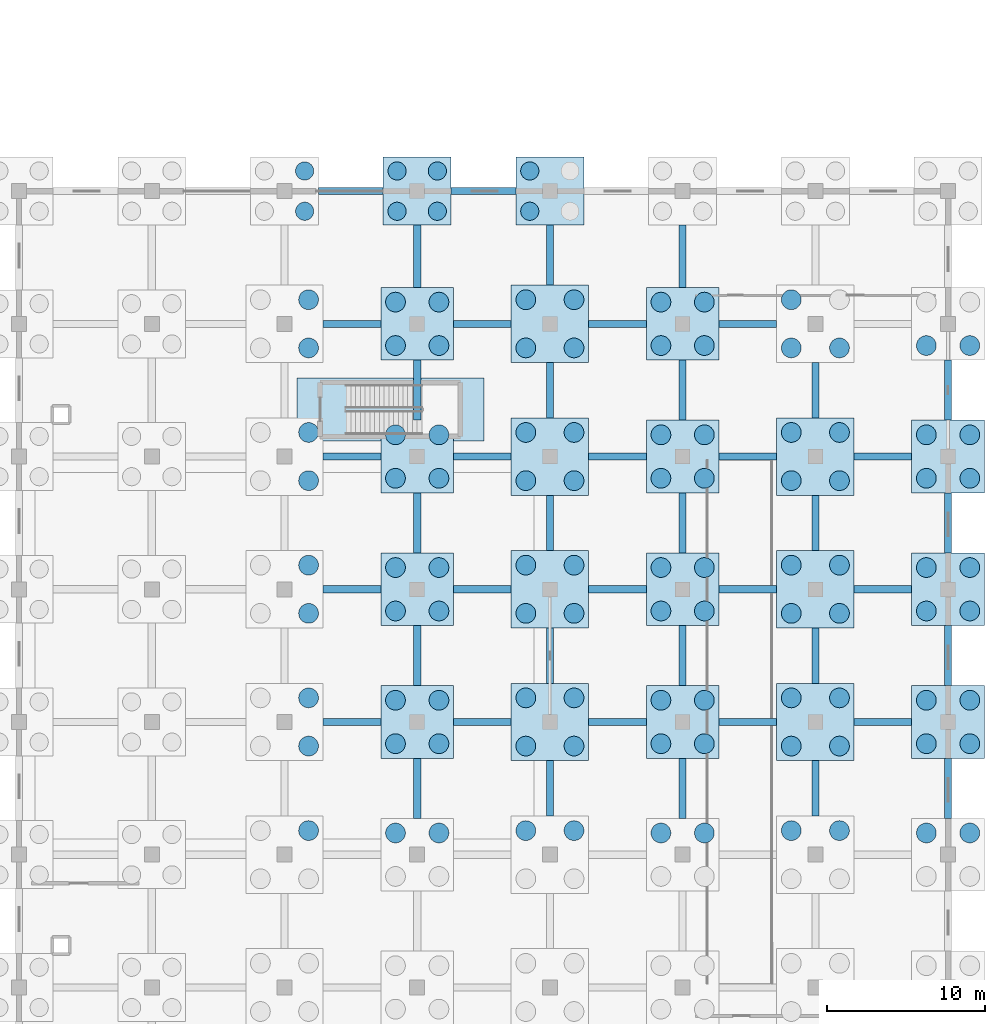
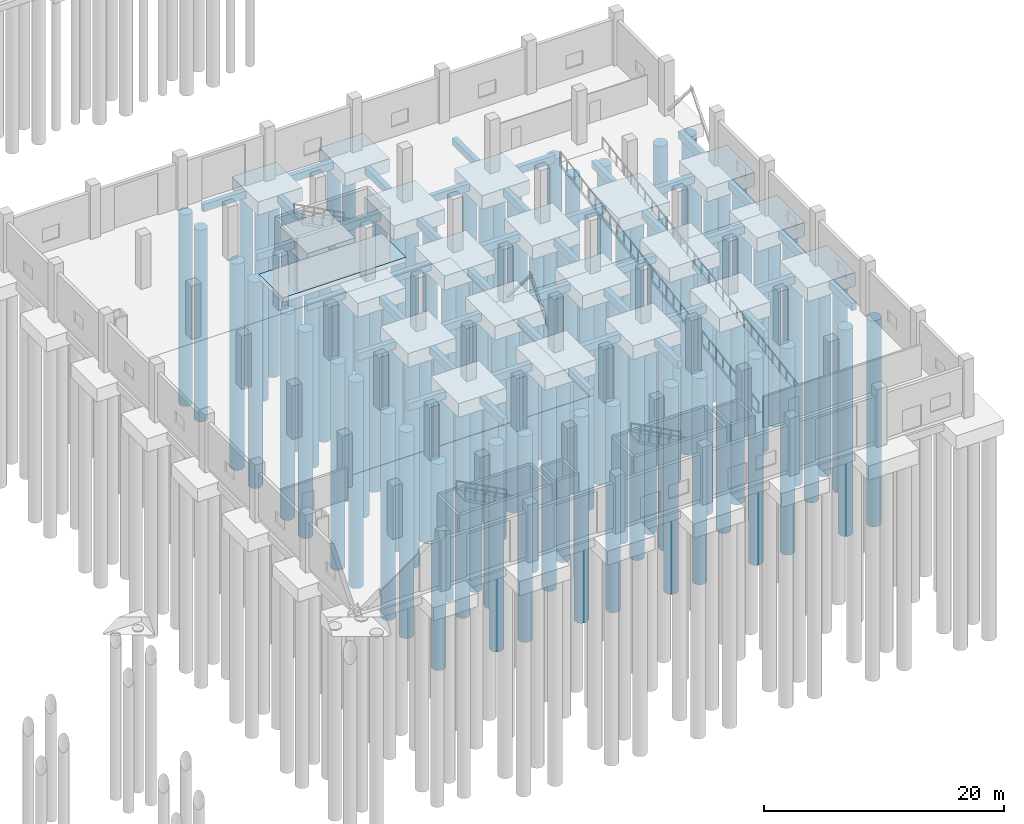
# One storey, part 9 of 83: 104 piles, 65 footings.
"""IFC4 building model written with IfcOpenShell, lengths in metres."""

from ifc_helpers import new_model, si_unit, direction, frame, origin, origin_2d, place, context, subcontext, project, spatial, rectangle, circle, extrude, material, material_profile, profile_set, type_object, element, save


model = new_model("IFC4")

# Units and contexts
model_context = context("Model", 3, precision=1e-05, world=origin(), true_north=direction((0.0, 1.0)))
body_context = subcontext(model_context, "Body", "Model", "MODEL_VIEW")
ifc_project = project(units=[si_unit("LENGTHUNIT", "METRE"), si_unit("AREAUNIT", "SQUARE_METRE"), si_unit("VOLUMEUNIT", "CUBIC_METRE"), si_unit("PLANEANGLEUNIT", "RADIAN"), si_unit("MASSUNIT", "GRAM", prefix="KILO"), si_unit("THERMODYNAMICTEMPERATUREUNIT", "KELVIN"), si_unit("POWERUNIT", "WATT")], contexts=[model_context])

# Site, building, storey
site_placement = place(None, origin())
site = spatial("IfcSite", under=ifc_project, at=site_placement, CompositionType="ELEMENT")
building_placement = place(site_placement, origin())
building = spatial("IfcBuilding", under=site, at=building_placement, Name="Mavoryth Pier Ferry Terminal", CompositionType="ELEMENT")
storey_placement = place(building_placement, origin())
storey = spatial("IfcBuildingStorey", under=building, at=storey_placement, Name="L00", CompositionType="ELEMENT", Elevation=0.0)

# Footings
ifc_material = material(Name="Concrete C35/45", Category="concrete")
footing_type_1 = type_object("IfcFootingType", Name="Cap-4P-4300x4300x1350", PredefinedType="PILE_CAP", material=ifc_material)
for number, where, z_axis, x_axis, name in (
    (1, (134.39990234375, 72.39990234375, -1.81005859375), (0.0, 0.0, 1.0), (1.0, 0.0, 0.0), "Foundation FD-V4-4-8"),
    (2, (142.800048828125, 72.39990234375, -1.81005859375), (0.0, 0.0, 1.0), (1.0, 0.0, 0.0), "Foundation FD-V4-5-8"),
):
    element("IfcFooting", number, at=place(storey_placement, frame(where, z_axis=z_axis, x_axis=x_axis)), inside=storey, type_object=footing_type_1, Name=name, PredefinedType="PILE_CAP", context=body_context, shape_type="SweptSolid", body=[
        extrude(rectangle(XDim=4.300048828125, YDim=4.300048828125, at=origin_2d()), origin(), (0.0, 0.0, 1.0), 1.35009765625),
    ])
footing_type_2 = type_object("IfcFootingType", Name="Cap-4P-4600x4600x1400", PredefinedType="PILE_CAP", material=ifc_material)
for number, where, z_axis, x_axis, name in (
    (3, (134.39990234375, 38.800048828125, -1.85986328125), (0.0, 0.0, 1.0), (1.0, 0.0, 0.0), "Foundation FD-V4-4-4"),
    (4, (134.39990234375, 47.199951171875, -1.85986328125), (0.0, 0.0, 1.0), (1.0, 0.0, 0.0), "Foundation FD-V4-4-5"),
    (5, (134.39990234375, 55.60009765625, -1.85986328125), (0.0, 0.0, 1.0), (1.0, 0.0, 0.0), "Foundation FD-V4-4-6"),
    (6, (134.39990234375, 64.0, -1.85986328125), (0.0, 0.0, 1.0), (1.0, 0.0, 0.0), "Foundation FD-V4-4-7"),
    (7, (151.199951171875, 38.800048828125, -1.85986328125), (0.0, 0.0, 1.0), (1.0, 0.0, 0.0), "Foundation FD-V4-6-4"),
    (8, (151.199951171875, 47.199951171875, -1.85986328125), (0.0, 0.0, 1.0), (1.0, 0.0, 0.0), "Foundation FD-V4-6-5"),
    (9, (151.199951171875, 55.60009765625, -1.85986328125), (0.0, 0.0, 1.0), (1.0, 0.0, 0.0), "Foundation FD-V4-6-6"),
    (10, (151.199951171875, 64.0, -1.85986328125), (0.0, 0.0, 1.0), (1.0, 0.0, 0.0), "Foundation FD-V4-6-7"),
    (11, (168.0, 38.800048828125, -1.85986328125), (0.0, 0.0, 1.0), (1.0, 0.0, 0.0), "Foundation FD-V4-8-4"),
    (12, (168.0, 47.199951171875, -1.85986328125), (0.0, 0.0, 1.0), (1.0, 0.0, 0.0), "Foundation FD-V4-8-5"),
    (13, (168.0, 55.60009765625, -1.85986328125), (0.0, 0.0, 1.0), (1.0, 0.0, 0.0), "Foundation FD-V4-8-6"),
):
    element("IfcFooting", number, at=place(storey_placement, frame(where, z_axis=z_axis, x_axis=x_axis)), inside=storey, type_object=footing_type_2, Name=name, PredefinedType="PILE_CAP", context=body_context, shape_type="SweptSolid", body=[
        extrude(rectangle(XDim=4.60009765625, YDim=4.60009765625, at=origin_2d()), origin(), (0.0, 0.0, 1.0), 1.39990234375),
    ])
footing_type_3 = type_object("IfcFootingType", Name="Cap-4P-4900x4900x1450", PredefinedType="PILE_CAP", material=ifc_material)
for number, where, z_axis, x_axis, name in (
    (14, (142.800048828125, 38.800048828125, -1.91015625), (0.0, 0.0, 1.0), (1.0, 0.0, 0.0), "Foundation FD-V4-5-4"),
    (15, (142.800048828125, 47.199951171875, -1.91015625), (0.0, 0.0, 1.0), (1.0, 0.0, 0.0), "Foundation FD-V4-5-5"),
    (16, (142.800048828125, 55.60009765625, -1.91015625), (0.0, 0.0, 1.0), (1.0, 0.0, 0.0), "Foundation FD-V4-5-6"),
    (17, (142.800048828125, 64.0, -1.91015625), (0.0, 0.0, 1.0), (1.0, 0.0, 0.0), "Foundation FD-V4-5-7"),
    (18, (159.60009765625, 38.800048828125, -1.91015625), (0.0, 0.0, 1.0), (1.0, 0.0, 0.0), "Foundation FD-V4-7-4"),
    (19, (159.60009765625, 47.199951171875, -1.91015625), (0.0, 0.0, 1.0), (1.0, 0.0, 0.0), "Foundation FD-V4-7-5"),
    (20, (159.60009765625, 55.60009765625, -1.91015625), (0.0, 0.0, 1.0), (1.0, 0.0, 0.0), "Foundation FD-V4-7-6"),
):
    element("IfcFooting", number, at=place(storey_placement, frame(where, z_axis=z_axis, x_axis=x_axis)), inside=storey, type_object=footing_type_3, Name=name, PredefinedType="PILE_CAP", context=body_context, shape_type="SweptSolid", body=[
        extrude(rectangle(XDim=4.89990234375, YDim=4.89990234375, at=origin_2d()), origin(), (0.0, 0.0, 1.0), 1.449951171875),
    ])
footing_type_4 = type_object("IfcFootingType", Name="Pad-CoreMat-11840x4000x460", PredefinedType="PAD_FOOTING", material=ifc_material)
footing_1_placement = place(storey_placement, frame((132.699951171875, 58.574951171875, -0.4599609375), z_axis=(0.0, 0.0, 1.0), x_axis=(1.0, 0.0, 0.0)))
element("IfcFooting", 21, at=footing_1_placement, inside=storey, type_object=footing_type_4, Name="Core Foundation Mat C4C", PredefinedType="PAD_FOOTING", context=body_context, shape_type="SweptSolid", body=[
    extrude(rectangle(XDim=11.840087890625, YDim=4.0, at=origin_2d()), origin(), (0.0, 0.0, 1.0), 0.4599609375),
])

# Piles
ifc_material_profile_1 = material_profile(ifc_material, circle(Radius=0.574951171875, at=origin_2d()), Name="PILE D1150", Category="concrete")
ifc_profile_set_1 = profile_set([ifc_material_profile_1], Name="Concrete C35/45 - PILE D1150")
pile_type_1 = type_object("IfcPileType", Name="Pile-Bored-D1150", PredefinedType="BORED", material=ifc_profile_set_1)
for number, where, z_axis, x_axis, name in (
    (22, (127.27490234375, 71.125, -1.7099609375), (0.0, 0.0, -1.0), (1.0, 0.0, 0.0), "Bored Pile FD-V4-3-8-P2"),
    (23, (127.27490234375, 73.675048828125, -1.7099609375), (0.0, 0.0, -1.0), (1.0, 0.0, 0.0), "Bored Pile FD-V4-3-8-P4"),
    (24, (133.125, 71.125, -1.7099609375), (0.0, 0.0, -1.0), (1.0, 0.0, 0.0), "Bored Pile FD-V4-4-8-P1"),
    (25, (135.675048828125, 71.125, -1.7099609375), (0.0, 0.0, -1.0), (1.0, 0.0, 0.0), "Bored Pile FD-V4-4-8-P2"),
    (26, (133.125, 73.675048828125, -1.7099609375), (0.0, 0.0, -1.0), (1.0, 0.0, 0.0), "Bored Pile FD-V4-4-8-P3"),
    (27, (135.675048828125, 73.675048828125, -1.7099609375), (0.0, 0.0, -1.0), (1.0, 0.0, 0.0), "Bored Pile FD-V4-4-8-P4"),
    (28, (141.52490234375, 71.125, -1.7099609375), (0.0, 0.0, -1.0), (1.0, 0.0, 0.0), "Bored Pile FD-V4-5-8-P1"),
    (29, (141.52490234375, 73.675048828125, -1.7099609375), (0.0, 0.0, -1.0), (1.0, 0.0, 0.0), "Bored Pile FD-V4-5-8-P3"),
):
    element("IfcPile", number, at=place(storey_placement, frame(where, z_axis=z_axis, x_axis=x_axis)), inside=storey, type_object=pile_type_1, Name=name, PredefinedType="BORED", context=body_context, shape_type="SweptSolid", body=[
        extrude(circle(Radius=0.574951171875, at=origin_2d()), origin(), (0.0, 0.0, 1.0), 19.5),
    ])
ifc_material_profile_2 = material_profile(ifc_material, circle(Radius=0.625, at=origin_2d()), Name="PILE D1250", Category="concrete")
ifc_profile_set_2 = profile_set([ifc_material_profile_2], Name="Concrete C35/45 - PILE D1250")
pile_type_2 = type_object("IfcPileType", Name="Pile-Bored-D1250", PredefinedType="BORED", material=ifc_profile_set_2)
for number, where, z_axis, x_axis, name in (
    (30, (127.52490234375, 31.925048828125, -1.81005859375), (0.0, 0.0, -1.0), (1.0, 0.0, 0.0), "Bored Pile FD-V4-3-3-P4"),
    (31, (127.52490234375, 37.27490234375, -1.81005859375), (0.0, 0.0, -1.0), (1.0, 0.0, 0.0), "Bored Pile FD-V4-3-4-P2"),
    (32, (127.52490234375, 40.324951171875, -1.81005859375), (0.0, 0.0, -1.0), (1.0, 0.0, 0.0), "Bored Pile FD-V4-3-4-P4"),
    (33, (127.52490234375, 45.675048828125, -1.81005859375), (0.0, 0.0, -1.0), (1.0, 0.0, 0.0), "Bored Pile FD-V4-3-5-P2"),
    (34, (127.52490234375, 48.72509765625, -1.81005859375), (0.0, 0.0, -1.0), (1.0, 0.0, 0.0), "Bored Pile FD-V4-3-5-P4"),
    (35, (127.52490234375, 54.074951171875, -1.81005859375), (0.0, 0.0, -1.0), (1.0, 0.0, 0.0), "Bored Pile FD-V4-3-6-P2"),
    (36, (127.52490234375, 57.125, -1.81005859375), (0.0, 0.0, -1.0), (1.0, 0.0, 0.0), "Bored Pile FD-V4-3-6-P4"),
    (37, (127.52490234375, 62.47509765625, -1.81005859375), (0.0, 0.0, -1.0), (1.0, 0.0, 0.0), "Bored Pile FD-V4-3-7-P2"),
    (38, (127.52490234375, 65.52490234375, -1.81005859375), (0.0, 0.0, -1.0), (1.0, 0.0, 0.0), "Bored Pile FD-V4-3-7-P4"),
    (39, (133.02490234375, 31.77490234375, -1.760009765625), (0.0, 0.0, -1.0), (1.0, 0.0, 0.0), "Bored Pile FD-V4-4-3-P3"),
    (40, (135.77490234375, 31.77490234375, -1.760009765625), (0.0, 0.0, -1.0), (1.0, 0.0, 0.0), "Bored Pile FD-V4-4-3-P4"),
    (41, (133.02490234375, 37.425048828125, -1.760009765625), (0.0, 0.0, -1.0), (1.0, 0.0, 0.0), "Bored Pile FD-V4-4-4-P1"),
    (42, (135.77490234375, 37.425048828125, -1.760009765625), (0.0, 0.0, -1.0), (1.0, 0.0, 0.0), "Bored Pile FD-V4-4-4-P2"),
    (43, (133.02490234375, 40.175048828125, -1.760009765625), (0.0, 0.0, -1.0), (1.0, 0.0, 0.0), "Bored Pile FD-V4-4-4-P3"),
    (44, (135.77490234375, 40.175048828125, -1.760009765625), (0.0, 0.0, -1.0), (1.0, 0.0, 0.0), "Bored Pile FD-V4-4-4-P4"),
    (45, (133.02490234375, 45.824951171875, -1.760009765625), (0.0, 0.0, -1.0), (1.0, 0.0, 0.0), "Bored Pile FD-V4-4-5-P1"),
    (46, (135.77490234375, 45.824951171875, -1.760009765625), (0.0, 0.0, -1.0), (1.0, 0.0, 0.0), "Bored Pile FD-V4-4-5-P2"),
    (47, (133.02490234375, 48.574951171875, -1.760009765625), (0.0, 0.0, -1.0), (1.0, 0.0, 0.0), "Bored Pile FD-V4-4-5-P3"),
    (48, (135.77490234375, 48.574951171875, -1.760009765625), (0.0, 0.0, -1.0), (1.0, 0.0, 0.0), "Bored Pile FD-V4-4-5-P4"),
    (49, (133.02490234375, 54.22509765625, -1.760009765625), (0.0, 0.0, -1.0), (1.0, 0.0, 0.0), "Bored Pile FD-V4-4-6-P1"),
    (50, (135.77490234375, 54.22509765625, -1.760009765625), (0.0, 0.0, -1.0), (1.0, 0.0, 0.0), "Bored Pile FD-V4-4-6-P2"),
    (51, (133.02490234375, 56.97509765625, -1.760009765625), (0.0, 0.0, -1.0), (1.0, 0.0, 0.0), "Bored Pile FD-V4-4-6-P3"),
    (52, (135.77490234375, 56.97509765625, -1.760009765625), (0.0, 0.0, -1.0), (1.0, 0.0, 0.0), "Bored Pile FD-V4-4-6-P4"),
    (53, (133.02490234375, 62.625, -1.760009765625), (0.0, 0.0, -1.0), (1.0, 0.0, 0.0), "Bored Pile FD-V4-4-7-P1"),
    (54, (135.77490234375, 62.625, -1.760009765625), (0.0, 0.0, -1.0), (1.0, 0.0, 0.0), "Bored Pile FD-V4-4-7-P2"),
    (55, (133.02490234375, 65.375, -1.760009765625), (0.0, 0.0, -1.0), (1.0, 0.0, 0.0), "Bored Pile FD-V4-4-7-P3"),
    (56, (135.77490234375, 65.375, -1.760009765625), (0.0, 0.0, -1.0), (1.0, 0.0, 0.0), "Bored Pile FD-V4-4-7-P4"),
    (57, (141.27490234375, 31.925048828125, -1.81005859375), (0.0, 0.0, -1.0), (1.0, 0.0, 0.0), "Bored Pile FD-V4-5-3-P3"),
    (58, (144.324951171875, 31.925048828125, -1.81005859375), (0.0, 0.0, -1.0), (1.0, 0.0, 0.0), "Bored Pile FD-V4-5-3-P4"),
    (59, (141.27490234375, 37.27490234375, -1.81005859375), (0.0, 0.0, -1.0), (1.0, 0.0, 0.0), "Bored Pile FD-V4-5-4-P1"),
    (60, (144.324951171875, 37.27490234375, -1.81005859375), (0.0, 0.0, -1.0), (1.0, 0.0, 0.0), "Bored Pile FD-V4-5-4-P2"),
    (61, (141.27490234375, 40.324951171875, -1.81005859375), (0.0, 0.0, -1.0), (1.0, 0.0, 0.0), "Bored Pile FD-V4-5-4-P3"),
    (62, (144.324951171875, 40.324951171875, -1.81005859375), (0.0, 0.0, -1.0), (1.0, 0.0, 0.0), "Bored Pile FD-V4-5-4-P4"),
    (63, (141.27490234375, 45.675048828125, -1.81005859375), (0.0, 0.0, -1.0), (1.0, 0.0, 0.0), "Bored Pile FD-V4-5-5-P1"),
    (64, (144.324951171875, 45.675048828125, -1.81005859375), (0.0, 0.0, -1.0), (1.0, 0.0, 0.0), "Bored Pile FD-V4-5-5-P2"),
    (65, (141.27490234375, 48.72509765625, -1.81005859375), (0.0, 0.0, -1.0), (1.0, 0.0, 0.0), "Bored Pile FD-V4-5-5-P3"),
    (66, (144.324951171875, 48.72509765625, -1.81005859375), (0.0, 0.0, -1.0), (1.0, 0.0, 0.0), "Bored Pile FD-V4-5-5-P4"),
    (67, (141.27490234375, 54.074951171875, -1.81005859375), (0.0, 0.0, -1.0), (1.0, 0.0, 0.0), "Bored Pile FD-V4-5-6-P1"),
    (68, (144.324951171875, 54.074951171875, -1.81005859375), (0.0, 0.0, -1.0), (1.0, 0.0, 0.0), "Bored Pile FD-V4-5-6-P2"),
    (69, (141.27490234375, 57.125, -1.81005859375), (0.0, 0.0, -1.0), (1.0, 0.0, 0.0), "Bored Pile FD-V4-5-6-P3"),
    (70, (144.324951171875, 57.125, -1.81005859375), (0.0, 0.0, -1.0), (1.0, 0.0, 0.0), "Bored Pile FD-V4-5-6-P4"),
    (71, (141.27490234375, 62.47509765625, -1.81005859375), (0.0, 0.0, -1.0), (1.0, 0.0, 0.0), "Bored Pile FD-V4-5-7-P1"),
    (72, (144.324951171875, 62.47509765625, -1.81005859375), (0.0, 0.0, -1.0), (1.0, 0.0, 0.0), "Bored Pile FD-V4-5-7-P2"),
    (73, (141.27490234375, 65.52490234375, -1.81005859375), (0.0, 0.0, -1.0), (1.0, 0.0, 0.0), "Bored Pile FD-V4-5-7-P3"),
    (74, (144.324951171875, 65.52490234375, -1.81005859375), (0.0, 0.0, -1.0), (1.0, 0.0, 0.0), "Bored Pile FD-V4-5-7-P4"),
    (75, (149.824951171875, 31.77490234375, -1.760009765625), (0.0, 0.0, -1.0), (1.0, 0.0, 0.0), "Bored Pile FD-V4-6-3-P3"),
    (76, (152.574951171875, 31.77490234375, -1.760009765625), (0.0, 0.0, -1.0), (1.0, 0.0, 0.0), "Bored Pile FD-V4-6-3-P4"),
    (77, (149.824951171875, 37.425048828125, -1.760009765625), (0.0, 0.0, -1.0), (1.0, 0.0, 0.0), "Bored Pile FD-V4-6-4-P1"),
    (78, (152.574951171875, 37.425048828125, -1.760009765625), (0.0, 0.0, -1.0), (1.0, 0.0, 0.0), "Bored Pile FD-V4-6-4-P2"),
    (79, (149.824951171875, 40.175048828125, -1.760009765625), (0.0, 0.0, -1.0), (1.0, 0.0, 0.0), "Bored Pile FD-V4-6-4-P3"),
    (80, (152.574951171875, 40.175048828125, -1.760009765625), (0.0, 0.0, -1.0), (1.0, 0.0, 0.0), "Bored Pile FD-V4-6-4-P4"),
    (81, (149.824951171875, 45.824951171875, -1.760009765625), (0.0, 0.0, -1.0), (1.0, 0.0, 0.0), "Bored Pile FD-V4-6-5-P1"),
    (82, (152.574951171875, 45.824951171875, -1.760009765625), (0.0, 0.0, -1.0), (1.0, 0.0, 0.0), "Bored Pile FD-V4-6-5-P2"),
    (83, (149.824951171875, 48.574951171875, -1.760009765625), (0.0, 0.0, -1.0), (1.0, 0.0, 0.0), "Bored Pile FD-V4-6-5-P3"),
    (84, (152.574951171875, 48.574951171875, -1.760009765625), (0.0, 0.0, -1.0), (1.0, 0.0, 0.0), "Bored Pile FD-V4-6-5-P4"),
    (85, (149.824951171875, 54.22509765625, -1.760009765625), (0.0, 0.0, -1.0), (1.0, 0.0, 0.0), "Bored Pile FD-V4-6-6-P1"),
    (86, (152.574951171875, 54.22509765625, -1.760009765625), (0.0, 0.0, -1.0), (1.0, 0.0, 0.0), "Bored Pile FD-V4-6-6-P2"),
    (87, (149.824951171875, 56.97509765625, -1.760009765625), (0.0, 0.0, -1.0), (1.0, 0.0, 0.0), "Bored Pile FD-V4-6-6-P3"),
    (88, (152.574951171875, 56.97509765625, -1.760009765625), (0.0, 0.0, -1.0), (1.0, 0.0, 0.0), "Bored Pile FD-V4-6-6-P4"),
    (89, (149.824951171875, 62.625, -1.760009765625), (0.0, 0.0, -1.0), (1.0, 0.0, 0.0), "Bored Pile FD-V4-6-7-P1"),
    (90, (152.574951171875, 62.625, -1.760009765625), (0.0, 0.0, -1.0), (1.0, 0.0, 0.0), "Bored Pile FD-V4-6-7-P2"),
    (91, (149.824951171875, 65.375, -1.760009765625), (0.0, 0.0, -1.0), (1.0, 0.0, 0.0), "Bored Pile FD-V4-6-7-P3"),
    (92, (152.574951171875, 65.375, -1.760009765625), (0.0, 0.0, -1.0), (1.0, 0.0, 0.0), "Bored Pile FD-V4-6-7-P4"),
    (93, (158.074951171875, 31.925048828125, -1.81005859375), (0.0, 0.0, -1.0), (1.0, 0.0, 0.0), "Bored Pile FD-V4-7-3-P3"),
    (94, (161.125, 31.925048828125, -1.81005859375), (0.0, 0.0, -1.0), (1.0, 0.0, 0.0), "Bored Pile FD-V4-7-3-P4"),
    (95, (158.074951171875, 37.27490234375, -1.81005859375), (0.0, 0.0, -1.0), (1.0, 0.0, 0.0), "Bored Pile FD-V4-7-4-P1"),
    (96, (161.125, 37.27490234375, -1.81005859375), (0.0, 0.0, -1.0), (1.0, 0.0, 0.0), "Bored Pile FD-V4-7-4-P2"),
    (97, (158.074951171875, 40.324951171875, -1.81005859375), (0.0, 0.0, -1.0), (1.0, 0.0, 0.0), "Bored Pile FD-V4-7-4-P3"),
    (98, (161.125, 40.324951171875, -1.81005859375), (0.0, 0.0, -1.0), (1.0, 0.0, 0.0), "Bored Pile FD-V4-7-4-P4"),
    (99, (158.074951171875, 45.675048828125, -1.81005859375), (0.0, 0.0, -1.0), (1.0, 0.0, 0.0), "Bored Pile FD-V4-7-5-P1"),
    (100, (161.125, 45.675048828125, -1.81005859375), (0.0, 0.0, -1.0), (1.0, 0.0, 0.0), "Bored Pile FD-V4-7-5-P2"),
    (101, (158.074951171875, 48.72509765625, -1.81005859375), (0.0, 0.0, -1.0), (1.0, 0.0, 0.0), "Bored Pile FD-V4-7-5-P3"),
    (102, (161.125, 48.72509765625, -1.81005859375), (0.0, 0.0, -1.0), (1.0, 0.0, 0.0), "Bored Pile FD-V4-7-5-P4"),
    (103, (158.074951171875, 54.074951171875, -1.81005859375), (0.0, 0.0, -1.0), (1.0, 0.0, 0.0), "Bored Pile FD-V4-7-6-P1"),
    (104, (161.125, 54.074951171875, -1.81005859375), (0.0, 0.0, -1.0), (1.0, 0.0, 0.0), "Bored Pile FD-V4-7-6-P2"),
    (105, (158.074951171875, 57.125, -1.81005859375), (0.0, 0.0, -1.0), (1.0, 0.0, 0.0), "Bored Pile FD-V4-7-6-P3"),
    (106, (161.125, 57.125, -1.81005859375), (0.0, 0.0, -1.0), (1.0, 0.0, 0.0), "Bored Pile FD-V4-7-6-P4"),
    (107, (158.074951171875, 62.47509765625, -1.81005859375), (0.0, 0.0, -1.0), (1.0, 0.0, 0.0), "Bored Pile FD-V4-7-7-P1"),
    (108, (161.125, 62.47509765625, -1.81005859375), (0.0, 0.0, -1.0), (1.0, 0.0, 0.0), "Bored Pile FD-V4-7-7-P2"),
    (109, (158.074951171875, 65.52490234375, -1.81005859375), (0.0, 0.0, -1.0), (1.0, 0.0, 0.0), "Bored Pile FD-V4-7-7-P3"),
    (110, (166.625, 31.77490234375, -1.760009765625), (0.0, 0.0, -1.0), (1.0, 0.0, 0.0), "Bored Pile FD-V4-8-3-P3"),
    (111, (169.375, 31.77490234375, -1.760009765625), (0.0, 0.0, -1.0), (1.0, 0.0, 0.0), "Bored Pile FD-V4-8-3-P4"),
    (112, (166.625, 37.425048828125, -1.760009765625), (0.0, 0.0, -1.0), (1.0, 0.0, 0.0), "Bored Pile FD-V4-8-4-P1"),
    (113, (169.375, 37.425048828125, -1.760009765625), (0.0, 0.0, -1.0), (1.0, 0.0, 0.0), "Bored Pile FD-V4-8-4-P2"),
    (114, (166.625, 40.175048828125, -1.760009765625), (0.0, 0.0, -1.0), (1.0, 0.0, 0.0), "Bored Pile FD-V4-8-4-P3"),
    (115, (169.375, 40.175048828125, -1.760009765625), (0.0, 0.0, -1.0), (1.0, 0.0, 0.0), "Bored Pile FD-V4-8-4-P4"),
    (116, (166.625, 45.824951171875, -1.760009765625), (0.0, 0.0, -1.0), (1.0, 0.0, 0.0), "Bored Pile FD-V4-8-5-P1"),
    (117, (169.375, 45.824951171875, -1.760009765625), (0.0, 0.0, -1.0), (1.0, 0.0, 0.0), "Bored Pile FD-V4-8-5-P2"),
    (118, (166.625, 48.574951171875, -1.760009765625), (0.0, 0.0, -1.0), (1.0, 0.0, 0.0), "Bored Pile FD-V4-8-5-P3"),
    (119, (169.375, 48.574951171875, -1.760009765625), (0.0, 0.0, -1.0), (1.0, 0.0, 0.0), "Bored Pile FD-V4-8-5-P4"),
    (120, (166.625, 54.22509765625, -1.760009765625), (0.0, 0.0, -1.0), (1.0, 0.0, 0.0), "Bored Pile FD-V4-8-6-P1"),
    (121, (169.375, 54.22509765625, -1.760009765625), (0.0, 0.0, -1.0), (1.0, 0.0, 0.0), "Bored Pile FD-V4-8-6-P2"),
    (122, (166.625, 56.97509765625, -1.760009765625), (0.0, 0.0, -1.0), (1.0, 0.0, 0.0), "Bored Pile FD-V4-8-6-P3"),
    (123, (169.375, 56.97509765625, -1.760009765625), (0.0, 0.0, -1.0), (1.0, 0.0, 0.0), "Bored Pile FD-V4-8-6-P4"),
    (124, (166.625, 62.625, -1.760009765625), (0.0, 0.0, -1.0), (1.0, 0.0, 0.0), "Bored Pile FD-V4-8-7-P1"),
    (125, (169.375, 62.625, -1.760009765625), (0.0, 0.0, -1.0), (1.0, 0.0, 0.0), "Bored Pile FD-V4-8-7-P2"),
):
    element("IfcPile", number, at=place(storey_placement, frame(where, z_axis=z_axis, x_axis=x_axis)), inside=storey, type_object=pile_type_2, Name=name, PredefinedType="BORED", context=body_context, shape_type="SweptSolid", body=[
        extrude(circle(Radius=0.625, at=origin_2d()), origin(), (0.0, 0.0, 1.0), 21.0),
    ])

# Footings
ifc_material_profile_3 = material_profile(ifc_material, rectangle(XDim=0.449951171875, YDim=0.75, at=origin_2d()), Name="RC 450x750", Category="concrete")
ifc_profile_set_3 = profile_set([ifc_material_profile_3], Name="Concrete C35/45 - RC 450x750")
footing_type_5 = type_object("IfcFootingType", Name="TieBeam-RC-450x750", PredefinedType="FOOTING_BEAM", material=ifc_profile_set_3)
for number, where, z_axis, x_axis, name in (
    (126, (128.449951171875, 38.800048828125, -0.8349609375), (1.0, 0.0, 0.0), (0.0, 1.0, 0.0), "Footing Tie Beam 230"),
    (127, (136.699951171875, 38.800048828125, -0.8349609375), (1.0, 0.0, 0.0), (0.0, 1.0, 0.0), "Footing Tie Beam 231"),
):
    element("IfcFooting", number, at=place(storey_placement, frame(where, z_axis=z_axis, x_axis=x_axis)), inside=storey, type_object=footing_type_5, Name=name, PredefinedType="FOOTING_BEAM", context=body_context, shape_type="SweptSolid", body=[
        extrude(rectangle(XDim=0.449951171875, YDim=0.75, at=origin_2d()), origin(), (0.0, 0.0, 1.0), 3.650146484375),
    ])
for number, where, z_axis, x_axis, name in (
    (128, (145.25, 38.800048828125, -0.8349609375), (1.0, 0.0, 0.0), (0.0, 1.0, 0.0), "Footing Tie Beam 232"),
    (129, (153.5, 38.800048828125, -0.8349609375), (1.0, 0.0, 0.0), (0.0, 1.0, 0.0), "Footing Tie Beam 233"),
    (130, (162.050048828125, 38.800048828125, -0.8349609375), (1.0, 0.0, 0.0), (0.0, 1.0, 0.0), "Footing Tie Beam 234"),
):
    element("IfcFooting", number, at=place(storey_placement, frame(where, z_axis=z_axis, x_axis=x_axis)), inside=storey, type_object=footing_type_5, Name=name, PredefinedType="FOOTING_BEAM", context=body_context, shape_type="SweptSolid", body=[
        extrude(rectangle(XDim=0.449951171875, YDim=0.75, at=origin_2d()), origin(), (0.0, 0.0, 1.0), 3.64990234375),
    ])
for number, where, z_axis, x_axis, name in (
    (131, (128.449951171875, 47.199951171875, -0.8349609375), (1.0, 0.0, 0.0), (0.0, 1.0, 0.0), "Footing Tie Beam 237"),
    (132, (136.699951171875, 47.199951171875, -0.8349609375), (1.0, 0.0, 0.0), (0.0, 1.0, 0.0), "Footing Tie Beam 238"),
):
    element("IfcFooting", number, at=place(storey_placement, frame(where, z_axis=z_axis, x_axis=x_axis)), inside=storey, type_object=footing_type_5, Name=name, PredefinedType="FOOTING_BEAM", context=body_context, shape_type="SweptSolid", body=[
        extrude(rectangle(XDim=0.449951171875, YDim=0.75, at=origin_2d()), origin(), (0.0, 0.0, 1.0), 3.650146484375),
    ])
for number, where, z_axis, x_axis, name in (
    (133, (145.25, 47.199951171875, -0.8349609375), (1.0, 0.0, 0.0), (0.0, 1.0, 0.0), "Footing Tie Beam 239"),
    (134, (153.5, 47.199951171875, -0.8349609375), (1.0, 0.0, 0.0), (0.0, 1.0, 0.0), "Footing Tie Beam 240"),
    (135, (162.050048828125, 47.199951171875, -0.8349609375), (1.0, 0.0, 0.0), (0.0, 1.0, 0.0), "Footing Tie Beam 241"),
):
    element("IfcFooting", number, at=place(storey_placement, frame(where, z_axis=z_axis, x_axis=x_axis)), inside=storey, type_object=footing_type_5, Name=name, PredefinedType="FOOTING_BEAM", context=body_context, shape_type="SweptSolid", body=[
        extrude(rectangle(XDim=0.449951171875, YDim=0.75, at=origin_2d()), origin(), (0.0, 0.0, 1.0), 3.64990234375),
    ])
for number, where, z_axis, x_axis, name in (
    (136, (128.449951171875, 55.60009765625, -0.8349609375), (1.0, 0.0, 0.0), (0.0, 1.0, 0.0), "Footing Tie Beam 244"),
    (137, (136.699951171875, 55.60009765625, -0.8349609375), (1.0, 0.0, 0.0), (0.0, 1.0, 0.0), "Footing Tie Beam 245"),
):
    element("IfcFooting", number, at=place(storey_placement, frame(where, z_axis=z_axis, x_axis=x_axis)), inside=storey, type_object=footing_type_5, Name=name, PredefinedType="FOOTING_BEAM", context=body_context, shape_type="SweptSolid", body=[
        extrude(rectangle(XDim=0.449951171875, YDim=0.75, at=origin_2d()), origin(), (0.0, 0.0, 1.0), 3.650146484375),
    ])
for number, where, z_axis, x_axis, name in (
    (138, (145.25, 55.60009765625, -0.8349609375), (1.0, 0.0, 0.0), (0.0, 1.0, 0.0), "Footing Tie Beam 246"),
    (139, (153.5, 55.60009765625, -0.8349609375), (1.0, 0.0, 0.0), (0.0, 1.0, 0.0), "Footing Tie Beam 247"),
    (140, (162.050048828125, 55.60009765625, -0.8349609375), (1.0, 0.0, 0.0), (0.0, 1.0, 0.0), "Footing Tie Beam 248"),
):
    element("IfcFooting", number, at=place(storey_placement, frame(where, z_axis=z_axis, x_axis=x_axis)), inside=storey, type_object=footing_type_5, Name=name, PredefinedType="FOOTING_BEAM", context=body_context, shape_type="SweptSolid", body=[
        extrude(rectangle(XDim=0.449951171875, YDim=0.75, at=origin_2d()), origin(), (0.0, 0.0, 1.0), 3.64990234375),
    ])
for number, where, z_axis, x_axis, name in (
    (141, (128.449951171875, 64.0, -0.8349609375), (1.0, 0.0, 0.0), (0.0, 1.0, 0.0), "Footing Tie Beam 251"),
    (142, (136.699951171875, 64.0, -0.8349609375), (1.0, 0.0, 0.0), (0.0, 1.0, 0.0), "Footing Tie Beam 252"),
):
    element("IfcFooting", number, at=place(storey_placement, frame(where, z_axis=z_axis, x_axis=x_axis)), inside=storey, type_object=footing_type_5, Name=name, PredefinedType="FOOTING_BEAM", context=body_context, shape_type="SweptSolid", body=[
        extrude(rectangle(XDim=0.449951171875, YDim=0.75, at=origin_2d()), origin(), (0.0, 0.0, 1.0), 3.650146484375),
    ])
for number, where, z_axis, x_axis, name in (
    (143, (145.25, 64.0, -0.8349609375), (1.0, 0.0, 0.0), (0.0, 1.0, 0.0), "Footing Tie Beam 253"),
    (144, (153.5, 64.0, -0.8349609375), (1.0, 0.0, 0.0), (0.0, 1.0, 0.0), "Footing Tie Beam 254"),
):
    element("IfcFooting", number, at=place(storey_placement, frame(where, z_axis=z_axis, x_axis=x_axis)), inside=storey, type_object=footing_type_5, Name=name, PredefinedType="FOOTING_BEAM", context=body_context, shape_type="SweptSolid", body=[
        extrude(rectangle(XDim=0.449951171875, YDim=0.75, at=origin_2d()), origin(), (0.0, 0.0, 1.0), 3.64990234375),
    ])
footing_2_placement = place(storey_placement, frame((128.14990234375, 72.39990234375, -0.8349609375), z_axis=(1.0, 0.0, 0.0), x_axis=(0.0, 1.0, 0.0)))
element("IfcFooting", 145, at=footing_2_placement, inside=storey, type_object=footing_type_5, Name="Footing Tie Beam 258", PredefinedType="FOOTING_BEAM", context=body_context, shape_type="SweptSolid", body=[
    extrude(rectangle(XDim=0.449951171875, YDim=0.75, at=origin_2d()), origin(), (0.0, 0.0, 1.0), 4.10009765625),
])
footing_3_placement = place(storey_placement, frame((136.550048828125, 72.39990234375, -0.8349609375), z_axis=(1.0, 0.0, 0.0), x_axis=(0.0, 1.0, 0.0)))
element("IfcFooting", 146, at=footing_3_placement, inside=storey, type_object=footing_type_5, Name="Footing Tie Beam 259", PredefinedType="FOOTING_BEAM", context=body_context, shape_type="SweptSolid", body=[
    extrude(rectangle(XDim=0.449951171875, YDim=0.75, at=origin_2d()), origin(), (0.0, 0.0, 1.0), 4.099853515625),
])
footing_4_placement = place(storey_placement, frame((134.39990234375, 32.699951171875, -0.8349609375), z_axis=(0.0, 1.0, 0.0), x_axis=(-1.0, 0.0, 0.0)))
element("IfcFooting", 147, at=footing_4_placement, inside=storey, type_object=footing_type_5, Name="Footing Tie Beam 286", PredefinedType="FOOTING_BEAM", context=body_context, shape_type="SweptSolid", body=[
    extrude(rectangle(XDim=0.449951171875, YDim=0.75, at=origin_2d()), origin(), (0.0, 0.0, 1.0), 3.800048828125),
])
footing_5_placement = place(storey_placement, frame((134.39990234375, 41.10009765625, -0.8349609375), z_axis=(0.0, 1.0, 0.0), x_axis=(-1.0, 0.0, 0.0)))
element("IfcFooting", 148, at=footing_5_placement, inside=storey, type_object=footing_type_5, Name="Footing Tie Beam 287", PredefinedType="FOOTING_BEAM", context=body_context, shape_type="SweptSolid", body=[
    extrude(rectangle(XDim=0.449951171875, YDim=0.75, at=origin_2d()), origin(), (0.0, 0.0, 1.0), 3.7998046875),
])
for number, where, z_axis, x_axis, name in (
    (149, (134.39990234375, 49.5, -0.8349609375), (0.0, 1.0, 0.0), (-1.0, 0.0, 0.0), "Footing Tie Beam 288"),
    (150, (134.39990234375, 57.89990234375, -0.8349609375), (0.0, 1.0, 0.0), (-1.0, 0.0, 0.0), "Footing Tie Beam 289"),
):
    element("IfcFooting", number, at=place(storey_placement, frame(where, z_axis=z_axis, x_axis=x_axis)), inside=storey, type_object=footing_type_5, Name=name, PredefinedType="FOOTING_BEAM", context=body_context, shape_type="SweptSolid", body=[
        extrude(rectangle(XDim=0.449951171875, YDim=0.75, at=origin_2d()), origin(), (0.0, 0.0, 1.0), 3.800048828125),
    ])
footing_6_placement = place(storey_placement, frame((134.39990234375, 66.300048828125, -0.8349609375), z_axis=(0.0, 1.0, 0.0), x_axis=(-1.0, 0.0, 0.0)))
element("IfcFooting", 151, at=footing_6_placement, inside=storey, type_object=footing_type_5, Name="Footing Tie Beam 290", PredefinedType="FOOTING_BEAM", context=body_context, shape_type="SweptSolid", body=[
    extrude(rectangle(XDim=0.449951171875, YDim=0.75, at=origin_2d()), origin(), (0.0, 0.0, 1.0), 3.949951171875),
])
for number, where, z_axis, x_axis, name in (
    (152, (142.800048828125, 32.85009765625, -0.8349609375), (0.0, 1.0, 0.0), (-1.0, 0.0, 0.0), "Footing Tie Beam 293"),
    (153, (142.800048828125, 41.25, -0.8349609375), (0.0, 1.0, 0.0), (-1.0, 0.0, 0.0), "Footing Tie Beam 294"),
    (154, (142.800048828125, 49.64990234375, -0.8349609375), (0.0, 1.0, 0.0), (-1.0, 0.0, 0.0), "Footing Tie Beam 295"),
    (155, (142.800048828125, 58.050048828125, -0.8349609375), (0.0, 1.0, 0.0), (-1.0, 0.0, 0.0), "Footing Tie Beam 296"),
):
    element("IfcFooting", number, at=place(storey_placement, frame(where, z_axis=z_axis, x_axis=x_axis)), inside=storey, type_object=footing_type_5, Name=name, PredefinedType="FOOTING_BEAM", context=body_context, shape_type="SweptSolid", body=[
        extrude(rectangle(XDim=0.449951171875, YDim=0.75, at=origin_2d()), origin(), (0.0, 0.0, 1.0), 3.5),
    ])
for number, where, z_axis, x_axis, name in (
    (156, (142.800048828125, 66.449951171875, -0.8349609375), (0.0, 1.0, 0.0), (-1.0, 0.0, 0.0), "Footing Tie Beam 297"),
    (157, (151.199951171875, 32.699951171875, -0.8349609375), (0.0, 1.0, 0.0), (-1.0, 0.0, 0.0), "Footing Tie Beam 300"),
):
    element("IfcFooting", number, at=place(storey_placement, frame(where, z_axis=z_axis, x_axis=x_axis)), inside=storey, type_object=footing_type_5, Name=name, PredefinedType="FOOTING_BEAM", context=body_context, shape_type="SweptSolid", body=[
        extrude(rectangle(XDim=0.449951171875, YDim=0.75, at=origin_2d()), origin(), (0.0, 0.0, 1.0), 3.800048828125),
    ])
footing_7_placement = place(storey_placement, frame((151.199951171875, 41.10009765625, -0.8349609375), z_axis=(0.0, 1.0, 0.0), x_axis=(-1.0, 0.0, 0.0)))
element("IfcFooting", 158, at=footing_7_placement, inside=storey, type_object=footing_type_5, Name="Footing Tie Beam 301", PredefinedType="FOOTING_BEAM", context=body_context, shape_type="SweptSolid", body=[
    extrude(rectangle(XDim=0.449951171875, YDim=0.75, at=origin_2d()), origin(), (0.0, 0.0, 1.0), 3.7998046875),
])
for number, where, z_axis, x_axis, name in (
    (159, (151.199951171875, 49.5, -0.8349609375), (0.0, 1.0, 0.0), (-1.0, 0.0, 0.0), "Footing Tie Beam 302"),
    (160, (151.199951171875, 57.89990234375, -0.8349609375), (0.0, 1.0, 0.0), (-1.0, 0.0, 0.0), "Footing Tie Beam 303"),
):
    element("IfcFooting", number, at=place(storey_placement, frame(where, z_axis=z_axis, x_axis=x_axis)), inside=storey, type_object=footing_type_5, Name=name, PredefinedType="FOOTING_BEAM", context=body_context, shape_type="SweptSolid", body=[
        extrude(rectangle(XDim=0.449951171875, YDim=0.75, at=origin_2d()), origin(), (0.0, 0.0, 1.0), 3.800048828125),
    ])
footing_8_placement = place(storey_placement, frame((151.199951171875, 66.300048828125, -0.8349609375), z_axis=(0.0, 1.0, 0.0), x_axis=(-1.0, 0.0, 0.0)))
element("IfcFooting", 161, at=footing_8_placement, inside=storey, type_object=footing_type_5, Name="Footing Tie Beam 304", PredefinedType="FOOTING_BEAM", context=body_context, shape_type="SweptSolid", body=[
    extrude(rectangle(XDim=0.449951171875, YDim=0.75, at=origin_2d()), origin(), (0.0, 0.0, 1.0), 3.949951171875),
])
for number, where, z_axis, x_axis, name in (
    (162, (159.60009765625, 32.85009765625, -0.8349609375), (0.0, 1.0, 0.0), (-1.0, 0.0, 0.0), "Footing Tie Beam 307"),
    (163, (159.60009765625, 41.25, -0.8349609375), (0.0, 1.0, 0.0), (-1.0, 0.0, 0.0), "Footing Tie Beam 308"),
    (164, (159.60009765625, 49.64990234375, -0.8349609375), (0.0, 1.0, 0.0), (-1.0, 0.0, 0.0), "Footing Tie Beam 309"),
    (165, (159.60009765625, 58.050048828125, -0.8349609375), (0.0, 1.0, 0.0), (-1.0, 0.0, 0.0), "Footing Tie Beam 310"),
):
    element("IfcFooting", number, at=place(storey_placement, frame(where, z_axis=z_axis, x_axis=x_axis)), inside=storey, type_object=footing_type_5, Name=name, PredefinedType="FOOTING_BEAM", context=body_context, shape_type="SweptSolid", body=[
        extrude(rectangle(XDim=0.449951171875, YDim=0.75, at=origin_2d()), origin(), (0.0, 0.0, 1.0), 3.5),
    ])
footing_9_placement = place(storey_placement, frame((168.0, 32.699951171875, -0.8349609375), z_axis=(0.0, 1.0, 0.0), x_axis=(-1.0, 0.0, 0.0)))
element("IfcFooting", 166, at=footing_9_placement, inside=storey, type_object=footing_type_5, Name="Footing Tie Beam 314", PredefinedType="FOOTING_BEAM", context=body_context, shape_type="SweptSolid", body=[
    extrude(rectangle(XDim=0.449951171875, YDim=0.75, at=origin_2d()), origin(), (0.0, 0.0, 1.0), 3.800048828125),
])
footing_10_placement = place(storey_placement, frame((168.0, 41.10009765625, -0.8349609375), z_axis=(0.0, 1.0, 0.0), x_axis=(-1.0, 0.0, 0.0)))
element("IfcFooting", 167, at=footing_10_placement, inside=storey, type_object=footing_type_5, Name="Footing Tie Beam 315", PredefinedType="FOOTING_BEAM", context=body_context, shape_type="SweptSolid", body=[
    extrude(rectangle(XDim=0.449951171875, YDim=0.75, at=origin_2d()), origin(), (0.0, 0.0, 1.0), 3.7998046875),
])
for number, where, z_axis, x_axis, name in (
    (168, (168.0, 49.5, -0.8349609375), (0.0, 1.0, 0.0), (-1.0, 0.0, 0.0), "Footing Tie Beam 316"),
    (169, (168.0, 57.89990234375, -0.8349609375), (0.0, 1.0, 0.0), (-1.0, 0.0, 0.0), "Footing Tie Beam 317"),
):
    element("IfcFooting", number, at=place(storey_placement, frame(where, z_axis=z_axis, x_axis=x_axis)), inside=storey, type_object=footing_type_5, Name=name, PredefinedType="FOOTING_BEAM", context=body_context, shape_type="SweptSolid", body=[
        extrude(rectangle(XDim=0.449951171875, YDim=0.75, at=origin_2d()), origin(), (0.0, 0.0, 1.0), 3.800048828125),
    ])

save(model, "model.ifc")
